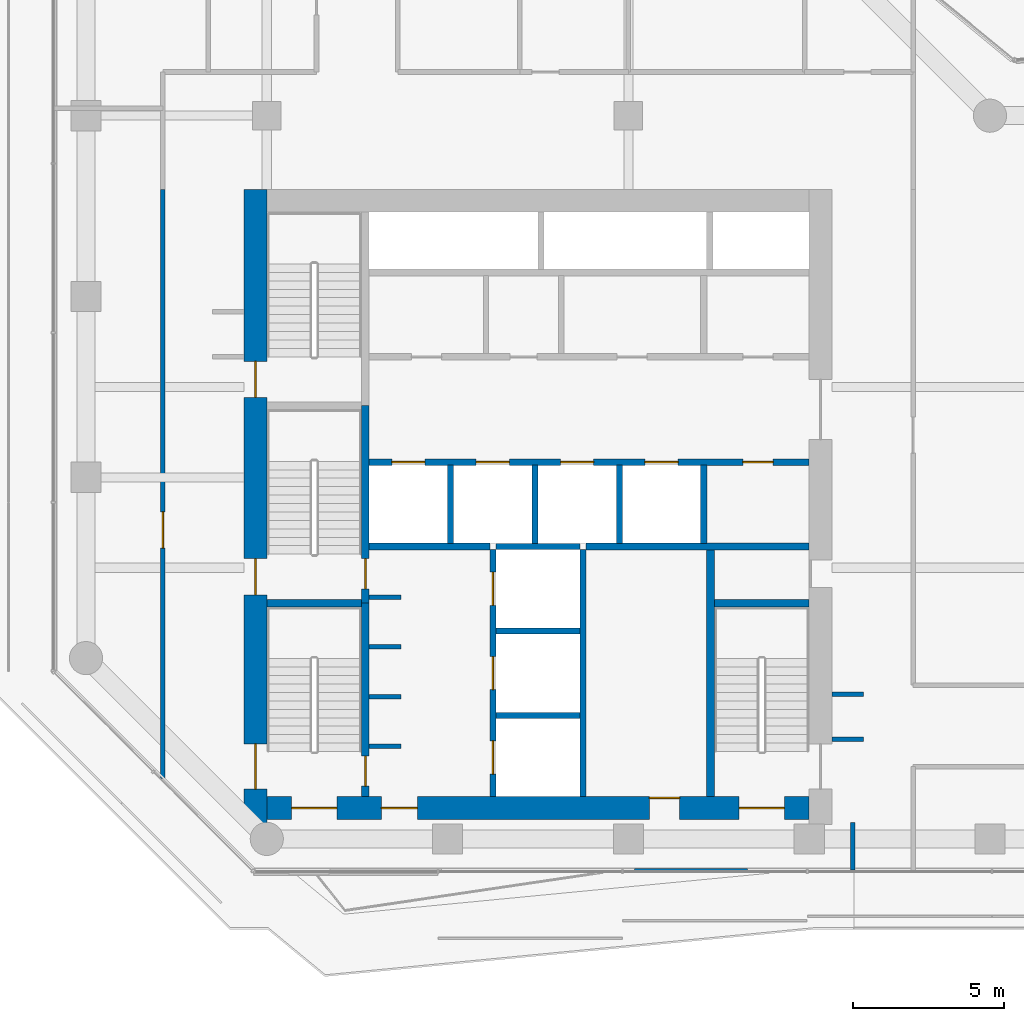
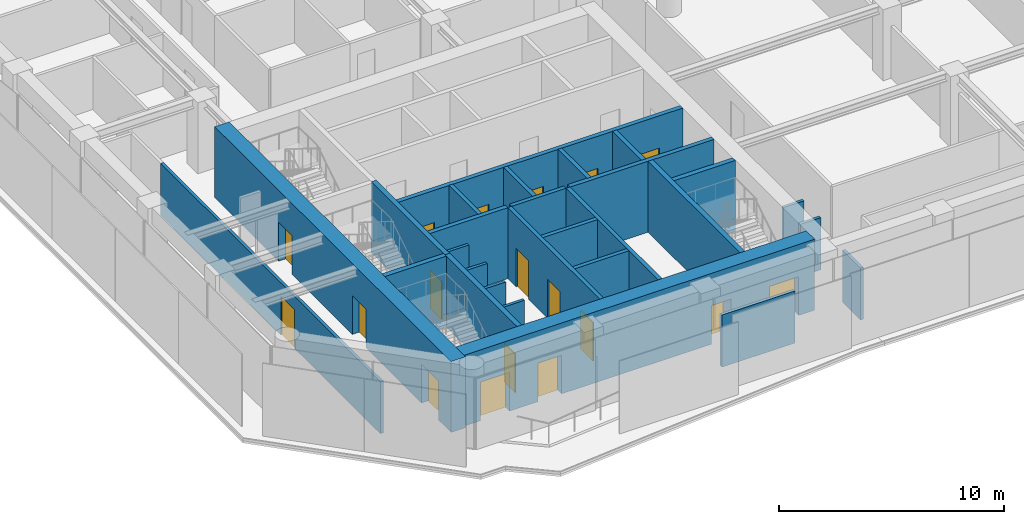
# One storey, part 23 of 28: 28 walls, 18 doors, 18 openings.
"""IFC4 building model written with IfcOpenShell, lengths in metres."""

from ifc_helpers import new_model, si_unit, direction, frame, frame_2d, origin, place, context, subcontext, project, spatial, rectangle, extrude, material, layer, layer_set, type_object, element, fill, save


model = new_model("IFC4")

# Units and contexts
model_context = context("Model", 3, precision=1e-05, world=origin(), true_north=direction((0.0, 1.0)))
body_context = subcontext(model_context, "Body", "Model", "MODEL_VIEW")
ifc_project = project(units=[si_unit("LENGTHUNIT", "METRE"), si_unit("AREAUNIT", "SQUARE_METRE"), si_unit("VOLUMEUNIT", "CUBIC_METRE"), si_unit("PLANEANGLEUNIT", "RADIAN"), si_unit("MASSUNIT", "GRAM", prefix="KILO")], contexts=[model_context])

# Site, building, storey
site_placement = place(None, origin())
site = spatial("IfcSite", under=ifc_project, at=site_placement, CompositionType="ELEMENT")
building_placement = place(site_placement, origin())
building = spatial("IfcBuilding", under=site, at=building_placement, Name="Welwitschia Terrace Campus", CompositionType="ELEMENT")
storey_placement = place(building_placement, frame((0.0, 0.0, 87.800048828125)))
storey = spatial("IfcBuildingStorey", under=building, at=storey_placement, Name="L19", CompositionType="ELEMENT", Elevation=87.800048828125)

# Walls
ifc_material_1 = material(Name="Concrete C32/40", Category="concrete")
ifc_layer_1 = layer(ifc_material_1, 0.22509765625)
ifc_layer_set_1 = layer_set([ifc_layer_1], Name="Concrete C32/40")
wall_type_1 = type_object("IfcWallType", Name="Core partition 225 Concrete C32/40", PredefinedType="PARTITIONING", material=ifc_layer_set_1)
wall_1_placement = place(storey_placement, frame((9.39990234375, 13.699951171875, 0.0), z_axis=(0.0, 0.0, 1.0), x_axis=(1.0, 0.0, 0.0)))
element("IfcWall", 1, at=wall_1_placement, inside=storey, type_object=wall_type_1, Name="Shaft wall", PredefinedType="PARTITIONING", context=body_context, shape_type="SweptSolid", body=[
    extrude(rectangle(XDim=4.0, YDim=0.22509765625, at=frame_2d((2.0, 0.0))), origin(), (0.0, 0.0, 1.0), 3.849853515625),
])
wall_2_placement = place(storey_placement, frame((16.60009765625, 13.699951171875, 0.0), z_axis=(0.0, 0.0, 1.0), x_axis=(1.0, 0.0, 0.0)))
element("IfcWall", 2, at=wall_2_placement, inside=storey, type_object=wall_type_1, Name="Shaft wall", PredefinedType="PARTITIONING", context=body_context, shape_type="SweptSolid", body=[
    extrude(rectangle(XDim=7.39990234375, YDim=0.22509765625, at=frame_2d((3.699951171875, 0.0))), origin(), (0.0, 0.0, 1.0), 3.849853515625),
])

# Wall, openings, doors
wall_3_placement = place(storey_placement, frame((9.39990234375, 16.5, 0.0), z_axis=(0.0, 0.0, 1.0), x_axis=(1.0, 0.0, 0.0)))
wall_3 = element("IfcWall", 3, at=wall_3_placement, inside=storey, type_object=wall_type_1, Name="Shaft wall", PredefinedType="PARTITIONING", context=body_context, shape_type="SweptSolid", body=[
    extrude(rectangle(XDim=14.60009765625, YDim=0.22509765625, at=frame_2d((7.300048828125, 0.0))), origin(), (0.0, 0.0, 1.0), 3.849853515625),
])
opening_1_placement = place(wall_3_placement, frame((0.75, 0.0, 0.0)))
opening_1 = element("IfcOpeningElement", 4, at=opening_1_placement, cuts=wall_3, Name="Opening LD", PredefinedType="OPENING", context=body_context, shape_type="SweptSolid", body=[
    extrude(rectangle(XDim=1.10009765625, YDim=2.10009765625, at=frame_2d((0.550048828125, 1.050048828125))), frame((0.0, 0.12255859375, 0.0), z_axis=(0.0, -1.0, 0.0), x_axis=(1.0, 0.0, 0.0)), (0.0, 0.0, 1.0), 0.2451171875),
])
opening_2_placement = place(wall_3_placement, frame((3.550048828125, 0.0, 0.0)))
opening_2 = element("IfcOpeningElement", 5, at=opening_2_placement, cuts=wall_3, Name="Opening LD", PredefinedType="OPENING", context=body_context, shape_type="SweptSolid", body=[
    extrude(rectangle(XDim=1.10009765625, YDim=2.10009765625, at=frame_2d((0.550048828125, 1.050048828125))), frame((0.0, 0.12255859375, 0.0), z_axis=(0.0, -1.0, 0.0), x_axis=(1.0, 0.0, 0.0)), (0.0, 0.0, 1.0), 0.2451171875),
])
opening_3_placement = place(wall_3_placement, frame((6.35009765625, 0.0, 0.0)))
opening_3 = element("IfcOpeningElement", 6, at=opening_3_placement, cuts=wall_3, Name="Opening LD", PredefinedType="OPENING", context=body_context, shape_type="SweptSolid", body=[
    extrude(rectangle(XDim=1.10009765625, YDim=2.10009765625, at=frame_2d((0.550048828125, 1.050048828125))), frame((0.0, 0.12255859375, 0.0), z_axis=(0.0, -1.0, 0.0), x_axis=(1.0, 0.0, 0.0)), (0.0, 0.0, 1.0), 0.2451171875),
])
opening_4_placement = place(wall_3_placement, frame((9.14990234375, 0.0, 0.0)))
opening_4 = element("IfcOpeningElement", 7, at=opening_4_placement, cuts=wall_3, Name="Opening LD", PredefinedType="OPENING", context=body_context, shape_type="SweptSolid", body=[
    extrude(rectangle(XDim=1.10009765625, YDim=2.10009765625, at=frame_2d((0.550048828125, 1.050048828125))), frame((0.0, 0.12255859375, 0.0), z_axis=(0.0, -1.0, 0.0), x_axis=(1.0, 0.0, 0.0)), (0.0, 0.0, 1.0), 0.2451171875),
])
opening_5_placement = place(wall_3_placement, frame((12.39990234375, 0.0, 0.0)))
opening_5 = element("IfcOpeningElement", 8, at=opening_5_placement, cuts=wall_3, Name="Opening DR10", PredefinedType="OPENING", context=body_context, shape_type="SweptSolid", body=[
    extrude(rectangle(XDim=1.0, YDim=2.10009765625, at=frame_2d((0.5, 1.050048828125))), frame((0.0, 0.12255859375, 0.0), z_axis=(0.0, -1.0, 0.0), x_axis=(1.0, 0.0, 0.0)), (0.0, 0.0, 1.0), 0.2451171875),
])
ifc_material_2 = material(Name="Steel S275", Category="steel")
door_type_1 = type_object("IfcDoorType", Name="Core door DR10", OperationType="SINGLE_SWING_LEFT", PredefinedType="DOOR", material=ifc_material_2)
door_1_placement = place(opening_5_placement, origin())
door_1 = element("IfcDoor", 9, at=door_1_placement, inside=storey, type_object=door_type_1, Name="Door EL-D", OperationType="SINGLE_SWING_RIGHT", OverallHeight=2.10009765625, OverallWidth=1.0, PredefinedType="DOOR", context=body_context, shape_type="SweptSolid", body=[
    extrude(rectangle(XDim=1.0, YDim=2.10009765625, at=frame_2d((0.5, 1.050048828125))), frame((0.0, 0.02490234375, 0.0), z_axis=(0.0, -1.0, 0.0), x_axis=(1.0, 0.0, 0.0)), (0.0, 0.0, 1.0), 0.050048828125),
])
fill(opening_5, door_1)
ifc_material_3 = material(Name="Stainless steel 304", Category="steel")
door_type_2 = type_object("IfcDoorType", Name="Lift landing door", OperationType="DOUBLE_DOOR_SLIDING", PredefinedType="DOOR", material=ifc_material_3)
door_2_placement = place(opening_1_placement, origin())
door_2 = element("IfcDoor", 10, at=door_2_placement, inside=storey, type_object=door_type_2, Name="Landing door LR1", OperationType="DOUBLE_DOOR_SLIDING", OverallHeight=2.10009765625, OverallWidth=1.10009765625, PredefinedType="DOOR", context=body_context, shape_type="SweptSolid", body=[
    extrude(rectangle(XDim=1.10009765625, YDim=2.10009765625, at=frame_2d((0.550048828125, 1.050048828125))), frame((0.0, 0.02490234375, 0.0), z_axis=(0.0, -1.0, 0.0), x_axis=(1.0, 0.0, 0.0)), (0.0, 0.0, 1.0), 0.050048828125),
])
fill(opening_1, door_2)
door_3_placement = place(opening_2_placement, origin())
door_3 = element("IfcDoor", 11, at=door_3_placement, inside=storey, type_object=door_type_2, Name="Landing door LR2", OperationType="DOUBLE_DOOR_SLIDING", OverallHeight=2.10009765625, OverallWidth=1.10009765625, PredefinedType="DOOR", context=body_context, shape_type="SweptSolid", body=[
    extrude(rectangle(XDim=1.10009765625, YDim=2.10009765625, at=frame_2d((0.550048828125, 1.050048828125))), frame((0.0, 0.02490234375, 0.0), z_axis=(0.0, -1.0, 0.0), x_axis=(1.0, 0.0, 0.0)), (0.0, 0.0, 1.0), 0.050048828125),
])
fill(opening_2, door_3)
door_4_placement = place(opening_3_placement, origin())
door_4 = element("IfcDoor", 12, at=door_4_placement, inside=storey, type_object=door_type_2, Name="Landing door LR3", OperationType="DOUBLE_DOOR_SLIDING", OverallHeight=2.10009765625, OverallWidth=1.10009765625, PredefinedType="DOOR", context=body_context, shape_type="SweptSolid", body=[
    extrude(rectangle(XDim=1.10009765625, YDim=2.10009765625, at=frame_2d((0.550048828125, 1.050048828125))), frame((0.0, 0.02490234375, 0.0), z_axis=(0.0, -1.0, 0.0), x_axis=(1.0, 0.0, 0.0)), (0.0, 0.0, 1.0), 0.050048828125),
])
fill(opening_3, door_4)
door_5_placement = place(opening_4_placement, origin())
door_5 = element("IfcDoor", 13, at=door_5_placement, inside=storey, type_object=door_type_2, Name="Landing door LR4", OperationType="DOUBLE_DOOR_SLIDING", OverallHeight=2.10009765625, OverallWidth=1.10009765625, PredefinedType="DOOR", context=body_context, shape_type="SweptSolid", body=[
    extrude(rectangle(XDim=1.10009765625, YDim=2.10009765625, at=frame_2d((0.550048828125, 1.050048828125))), frame((0.0, 0.02490234375, 0.0), z_axis=(0.0, -1.0, 0.0), x_axis=(1.0, 0.0, 0.0)), (0.0, 0.0, 1.0), 0.050048828125),
])
fill(opening_4, door_5)

# Walls
wall_4_placement = place(storey_placement, frame((20.5, 13.800048828125, 0.0), z_axis=(0.0, 0.0, 1.0), x_axis=(0.0, 1.0, 0.0)))
element("IfcWall", 14, at=wall_4_placement, inside=storey, type_object=wall_type_1, Name="Shaft wall", PredefinedType="PARTITIONING", context=body_context, shape_type="SweptSolid", body=[
    extrude(rectangle(XDim=2.599853515625, YDim=0.22509765625, at=frame_2d((1.2998046875, 0.0))), origin(), (0.0, 0.0, 1.0), 3.849853515625),
])
ifc_material_4 = material(Name="Concrete C50/60", Category="concrete")
ifc_layer_2 = layer(ifc_material_4, 0.14990234375)
ifc_layer_set_2 = layer_set([ifc_layer_2], Name="Concrete C50/60")
wall_type_2 = type_object("IfcWallType", Name="Core wall 150 Concrete C50/60", PredefinedType="SHEAR", material=ifc_layer_set_2)
for number, where, z_axis, x_axis, name in (
    (15, (9.39990234375, 7.074951171875, 0.0), (0.0, 0.0, 1.0), (1.0, 0.0, 0.0), "Core wall"),
    (16, (9.39990234375, 8.72509765625, 0.0), (0.0, 0.0, 1.0), (1.0, 0.0, 0.0), "Core wall"),
    (17, (9.39990234375, 10.375, 0.0), (0.0, 0.0, 1.0), (1.0, 0.0, 0.0), "Core wall"),
    (18, (9.39990234375, 12.02490234375, 0.0), (0.0, 0.0, 1.0), (1.0, 0.0, 0.0), "Core wall"),
):
    element("IfcWall", number, at=place(storey_placement, frame(where, z_axis=z_axis, x_axis=x_axis)), inside=storey, type_object=wall_type_2, Name=name, PredefinedType="SHEAR", context=body_context, shape_type="SweptSolid", body=[
        extrude(rectangle(XDim=1.050048828125, YDim=0.14990234375, at=frame_2d((0.52490234375, 0.0))), origin(), (0.0, 0.0, 1.0), 3.849853515625),
    ])
ifc_material_5 = material(Name="Concrete C50/60", Category="concrete")
ifc_layer_3 = layer(ifc_material_5, 0.199951171875)
ifc_layer_set_3 = layer_set([ifc_layer_3], Name="Concrete C50/60")
wall_type_3 = type_object("IfcWallType", Name="Core wall 200 Concrete C50/60", PredefinedType="SHEAR", material=ifc_layer_set_3)
for number, where, z_axis, x_axis, name in (
    (19, (13.60009765625, 8.10009765625, 0.0), (0.0, 0.0, 1.0), (1.0, 0.0, 0.0), "Core wall"),
    (20, (13.60009765625, 10.89990234375, 0.0), (0.0, 0.0, 1.0), (1.0, 0.0, 0.0), "Core wall"),
    (21, (13.60009765625, 13.699951171875, 0.0), (0.0, 0.0, 1.0), (1.0, 0.0, 0.0), "Core wall"),
):
    element("IfcWall", number, at=place(storey_placement, frame(where, z_axis=z_axis, x_axis=x_axis)), inside=storey, type_object=wall_type_3, Name=name, PredefinedType="SHEAR", context=body_context, shape_type="SweptSolid", body=[
        extrude(rectangle(XDim=2.7998046875, YDim=0.199951171875, at=frame_2d((1.39990234375, 0.0))), origin(), (0.0, 0.0, 1.0), 3.849853515625),
    ])

# Wall, openings, doors
wall_5_placement = place(storey_placement, frame((13.5, 5.39990234375, 0.0), z_axis=(0.0, 0.0, 1.0), x_axis=(0.0, 1.0, 0.0)))
wall_5 = element("IfcWall", 22, at=wall_5_placement, inside=storey, type_object=wall_type_3, Name="Core wall", PredefinedType="SHEAR", context=body_context, shape_type="SweptSolid", body=[
    extrude(rectangle(XDim=8.2001953125, YDim=0.199951171875, at=frame_2d((4.10009765625, 0.0))), origin(), (0.0, 0.0, 1.0), 3.849853515625),
])
opening_6_placement = place(wall_5_placement, frame((0.75, 0.0, 0.0)))
opening_6 = element("IfcOpeningElement", 23, at=opening_6_placement, cuts=wall_5, Name="Opening LD", PredefinedType="OPENING", context=body_context, shape_type="SweptSolid", body=[
    extrude(rectangle(XDim=1.10009765625, YDim=2.10009765625, at=frame_2d((0.550048828125, 1.050048828125))), frame((0.0, 0.10986328125, 0.0), z_axis=(0.0, -1.0, 0.0), x_axis=(1.0, 0.0, 0.0)), (0.0, 0.0, 1.0), 0.219970703125),
])
opening_7_placement = place(wall_5_placement, frame((3.550048828125, 0.0, 0.0)))
opening_7 = element("IfcOpeningElement", 24, at=opening_7_placement, cuts=wall_5, Name="Opening LD", PredefinedType="OPENING", context=body_context, shape_type="SweptSolid", body=[
    extrude(rectangle(XDim=1.10009765625, YDim=2.10009765625, at=frame_2d((0.550048828125, 1.050048828125))), frame((0.0, 0.10986328125, 0.0), z_axis=(0.0, -1.0, 0.0), x_axis=(1.0, 0.0, 0.0)), (0.0, 0.0, 1.0), 0.219970703125),
])
opening_8_placement = place(wall_5_placement, frame((6.35009765625, 0.0, 0.0)))
opening_8 = element("IfcOpeningElement", 25, at=opening_8_placement, cuts=wall_5, Name="Opening LD", PredefinedType="OPENING", context=body_context, shape_type="SweptSolid", body=[
    extrude(rectangle(XDim=1.10009765625, YDim=2.10009765625, at=frame_2d((0.550048828125, 1.050048828125))), frame((0.0, 0.10986328125, 0.0), z_axis=(0.0, -1.0, 0.0), x_axis=(1.0, 0.0, 0.0)), (0.0, 0.0, 1.0), 0.219970703125),
])
door_6_placement = place(opening_6_placement, origin())
door_6 = element("IfcDoor", 26, at=door_6_placement, inside=storey, type_object=door_type_2, Name="Landing door FF1", OperationType="DOUBLE_DOOR_SLIDING", OverallHeight=2.10009765625, OverallWidth=1.10009765625, PredefinedType="DOOR", context=body_context, shape_type="SweptSolid", body=[
    extrude(rectangle(XDim=1.10009765625, YDim=2.10009765625, at=frame_2d((0.550048828125, 1.050048828125))), frame((0.0, 0.02490234375, 0.0), z_axis=(0.0, -1.0, 0.0), x_axis=(1.0, 0.0, 0.0)), (0.0, 0.0, 1.0), 0.050048828125),
])
fill(opening_6, door_6)
door_7_placement = place(opening_7_placement, origin())
door_7 = element("IfcDoor", 27, at=door_7_placement, inside=storey, type_object=door_type_2, Name="Landing door FF2", OperationType="DOUBLE_DOOR_SLIDING", OverallHeight=2.10009765625, OverallWidth=1.10009765625, PredefinedType="DOOR", context=body_context, shape_type="SweptSolid", body=[
    extrude(rectangle(XDim=1.10009765625, YDim=2.10009765625, at=frame_2d((0.550048828125, 1.050048828125))), frame((0.0, 0.02490234375, 0.0), z_axis=(0.0, -1.0, 0.0), x_axis=(1.0, 0.0, 0.0)), (0.0, 0.0, 1.0), 0.050048828125),
])
fill(opening_7, door_7)
door_8_placement = place(opening_8_placement, origin())
door_8 = element("IfcDoor", 28, at=door_8_placement, inside=storey, type_object=door_type_2, Name="Landing door SV1", OperationType="DOUBLE_DOOR_SLIDING", OverallHeight=2.10009765625, OverallWidth=1.10009765625, PredefinedType="DOOR", context=body_context, shape_type="SweptSolid", body=[
    extrude(rectangle(XDim=1.10009765625, YDim=2.10009765625, at=frame_2d((0.550048828125, 1.050048828125))), frame((0.0, 0.02490234375, 0.0), z_axis=(0.0, -1.0, 0.0), x_axis=(1.0, 0.0, 0.0)), (0.0, 0.0, 1.0), 0.050048828125),
])
fill(opening_8, door_8)

# Walls
wall_6_placement = place(storey_placement, frame((16.5, 5.39990234375, 0.0), z_axis=(0.0, 0.0, 1.0), x_axis=(0.0, 1.0, 0.0)))
element("IfcWall", 29, at=wall_6_placement, inside=storey, type_object=wall_type_3, Name="Core wall", PredefinedType="SHEAR", context=body_context, shape_type="SweptSolid", body=[
    extrude(rectangle(XDim=8.2001953125, YDim=0.199951171875, at=frame_2d((4.10009765625, 0.0))), origin(), (0.0, 0.0, 1.0), 3.849853515625),
])
ifc_material_6 = material(Name="Concrete C50/60", Category="concrete")
ifc_layer_4 = layer(ifc_material_6, 0.25)
ifc_layer_set_4 = layer_set([ifc_layer_4], Name="Concrete C50/60")
wall_type_4 = type_object("IfcWallType", Name="Core wall 250 Concrete C50/60", PredefinedType="SHEAR", material=ifc_layer_set_4)
for number, where, z_axis, x_axis, name in (
    (30, (6.0, 11.824951171875, 0.0), (0.0, 0.0, 1.0), (1.0, 0.0, 0.0), "Core wall"),
    (31, (20.85009765625, 11.824951171875, 0.0), (0.0, 0.0, 1.0), (1.0, 0.0, 0.0), "Core wall"),
):
    element("IfcWall", number, at=place(storey_placement, frame(where, z_axis=z_axis, x_axis=x_axis)), inside=storey, type_object=wall_type_4, Name=name, PredefinedType="SHEAR", context=body_context, shape_type="SweptSolid", body=[
        extrude(rectangle(XDim=3.14990234375, YDim=0.25, at=frame_2d((1.574951171875, 0.0))), origin(), (0.0, 0.0, 1.0), 3.849853515625),
    ])

# Wall, opening, door
wall_7_placement = place(storey_placement, frame((9.27490234375, 11.824951171875, 0.0), z_axis=(0.0, 0.0, 1.0), x_axis=(0.0, -1.0, 0.0)))
wall_7 = element("IfcWall", 32, at=wall_7_placement, inside=storey, type_object=wall_type_4, Name="Core wall", PredefinedType="SHEAR", context=body_context, shape_type="SweptSolid", body=[
    extrude(rectangle(XDim=6.425048828125, YDim=0.25, at=frame_2d((3.21240234375, 0.0))), origin(), (0.0, 0.0, 1.0), 3.849853515625),
])
opening_9_placement = place(wall_7_placement, frame((5.074951171875, 0.0, 0.0)))
opening_9 = element("IfcOpeningElement", 33, at=opening_9_placement, cuts=wall_7, Name="Opening DS10", PredefinedType="OPENING", context=body_context, shape_type="SweptSolid", body=[
    extrude(rectangle(XDim=1.0, YDim=2.10009765625, at=frame_2d((0.5, 1.050048828125))), frame((0.0, 0.135009765625, 0.0), z_axis=(0.0, -1.0, 0.0), x_axis=(1.0, 0.0, 0.0)), (0.0, 0.0, 1.0), 0.27001953125),
])
ifc_material_7 = material(Name="Steel S275", Category="steel")
door_type_3 = type_object("IfcDoorType", Name="Core door DS10", OperationType="SINGLE_SWING_LEFT", PredefinedType="DOOR", material=ifc_material_7)
door_9_placement = place(opening_9_placement, origin())
door_9 = element("IfcDoor", 34, at=door_9_placement, inside=storey, type_object=door_type_3, Name="Door S1-FL", OperationType="SINGLE_SWING_RIGHT", OverallHeight=2.10009765625, OverallWidth=1.0, PredefinedType="DOOR", context=body_context, shape_type="SweptSolid", body=[
    extrude(rectangle(XDim=1.0, YDim=2.10009765625, at=frame_2d((0.5, 1.050048828125))), frame((0.0, 0.02490234375, 0.0), z_axis=(0.0, -1.0, 0.0), x_axis=(1.0, 0.0, 0.0)), (0.0, 0.0, 1.0), 0.050048828125),
])
fill(opening_9, door_9)

wall_8_placement = place(storey_placement, frame((9.27490234375, 18.375, 0.0), z_axis=(0.0, 0.0, 1.0), x_axis=(0.0, -1.0, 0.0)))
wall_8 = element("IfcWall", 35, at=wall_8_placement, inside=storey, type_object=wall_type_4, Name="Core wall", PredefinedType="SHEAR", context=body_context, shape_type="SweptSolid", body=[
    extrude(rectangle(XDim=6.550048828125, YDim=0.25, at=frame_2d((3.27490234375, 0.0))), origin(), (0.0, 0.0, 1.0), 3.849853515625),
])
opening_10_placement = place(wall_8_placement, frame((5.074951171875, 0.0, 0.0)))
opening_10 = element("IfcOpeningElement", 36, at=opening_10_placement, cuts=wall_8, Name="Opening DS10", PredefinedType="OPENING", context=body_context, shape_type="SweptSolid", body=[
    extrude(rectangle(XDim=1.0, YDim=2.10009765625, at=frame_2d((0.5, 1.050048828125))), frame((0.0, 0.135009765625, 0.0), z_axis=(0.0, -1.0, 0.0), x_axis=(1.0, 0.0, 0.0)), (0.0, 0.0, 1.0), 0.27001953125),
])
door_10_placement = place(opening_10_placement, origin())
door_10 = element("IfcDoor", 37, at=door_10_placement, inside=storey, type_object=door_type_3, Name="Door S3-FL", OperationType="SINGLE_SWING_RIGHT", OverallHeight=2.10009765625, OverallWidth=1.0, PredefinedType="DOOR", context=body_context, shape_type="SweptSolid", body=[
    extrude(rectangle(XDim=1.0, YDim=2.10009765625, at=frame_2d((0.5, 1.050048828125))), frame((0.0, 0.02490234375, 0.0), z_axis=(0.0, -1.0, 0.0), x_axis=(1.0, 0.0, 0.0)), (0.0, 0.0, 1.0), 0.050048828125),
])
fill(opening_10, door_10)

# Wall
wall_9_placement = place(storey_placement, frame((20.72509765625, 5.39990234375, 0.0), z_axis=(0.0, 0.0, 1.0), x_axis=(0.0, 1.0, 0.0)))
element("IfcWall", 38, at=wall_9_placement, inside=storey, type_object=wall_type_4, Name="Core wall", PredefinedType="SHEAR", context=body_context, shape_type="SweptSolid", body=[
    extrude(rectangle(XDim=8.2001953125, YDim=0.25, at=frame_2d((4.10009765625, 0.0))), origin(), (0.0, 0.0, 1.0), 3.849853515625),
])

# Wall, openings, doors
ifc_material_8 = material(Name="Concrete C70/85", Category="concrete")
ifc_layer_5 = layer(ifc_material_8, 0.75)
ifc_layer_set_5 = layer_set([ifc_layer_5], Name="Concrete C70/85")
wall_type_5 = type_object("IfcWallType", Name="Core wall 750 Concrete C70/85", PredefinedType="SHEAR", material=ifc_layer_set_5)
wall_10_placement = place(storey_placement, frame((5.625, 4.52001953125, 0.0), z_axis=(0.0, 0.0, 1.0), x_axis=(0.0, 1.0, 0.0)))
wall_10 = element("IfcWall", 39, at=wall_10_placement, inside=storey, type_object=wall_type_5, Name="Core outer wall", PredefinedType="SHEAR", context=body_context, shape_type="SweptSolid", body=[
    extrude(rectangle(XDim=21.030029296875, YDim=0.75, at=frame_2d((10.51513671875, 0.0))), origin(), (0.0, 0.0, 1.0), 3.849853515625),
])
opening_11_placement = place(wall_10_placement, frame((1.1298828125, 0.0, 0.0)))
opening_11 = element("IfcOpeningElement", 40, at=opening_11_placement, cuts=wall_10, Name="Opening DS15", PredefinedType="OPENING", context=body_context, shape_type="SweptSolid", body=[
    extrude(rectangle(XDim=1.5, YDim=2.10009765625, at=frame_2d((0.75, 1.050048828125))), frame((0.0, 0.385009765625, 0.0), z_axis=(0.0, -1.0, 0.0), x_axis=(1.0, 0.0, 0.0)), (0.0, 0.0, 1.0), 0.77001953125),
])
opening_12_placement = place(wall_10_placement, frame((7.580078125, 0.0, 0.0)))
opening_12 = element("IfcOpeningElement", 41, at=opening_12_placement, cuts=wall_10, Name="Opening DS12", PredefinedType="OPENING", context=body_context, shape_type="SweptSolid", body=[
    extrude(rectangle(XDim=1.199951171875, YDim=2.10009765625, at=frame_2d((0.60009765625, 1.050048828125))), frame((0.0, 0.385009765625, 0.0), z_axis=(0.0, -1.0, 0.0), x_axis=(1.0, 0.0, 0.0)), (0.0, 0.0, 1.0), 0.77001953125),
])
opening_13_placement = place(wall_10_placement, frame((14.1298828125, 0.0, 0.0)))
opening_13 = element("IfcOpeningElement", 42, at=opening_13_placement, cuts=wall_10, Name="Opening DS12", PredefinedType="OPENING", context=body_context, shape_type="SweptSolid", body=[
    extrude(rectangle(XDim=1.199951171875, YDim=2.10009765625, at=frame_2d((0.60009765625, 1.050048828125))), frame((0.0, 0.385009765625, 0.0), z_axis=(0.0, -1.0, 0.0), x_axis=(1.0, 0.0, 0.0)), (0.0, 0.0, 1.0), 0.77001953125),
])
ifc_material_9 = material(Name="Steel S275", Category="steel")
door_type_4 = type_object("IfcDoorType", Name="Core door DS12", OperationType="SINGLE_SWING_LEFT", PredefinedType="DOOR", material=ifc_material_9)
door_11_placement = place(opening_12_placement, origin())
door_11 = element("IfcDoor", 43, at=door_11_placement, inside=storey, type_object=door_type_4, Name="Door S3-out", OperationType="SINGLE_SWING_LEFT", OverallHeight=2.10009765625, OverallWidth=1.199951171875, PredefinedType="DOOR", context=body_context, shape_type="SweptSolid", body=[
    extrude(rectangle(XDim=1.199951171875, YDim=2.10009765625, at=frame_2d((0.60009765625, 1.050048828125))), frame((0.0, 0.02490234375, 0.0), z_axis=(0.0, -1.0, 0.0), x_axis=(1.0, 0.0, 0.0)), (0.0, 0.0, 1.0), 0.050048828125),
])
fill(opening_12, door_11)
door_12_placement = place(opening_13_placement, origin())
door_12 = element("IfcDoor", 44, at=door_12_placement, inside=storey, type_object=door_type_4, Name="Door S4-out", OperationType="SINGLE_SWING_RIGHT", OverallHeight=2.10009765625, OverallWidth=1.199951171875, PredefinedType="DOOR", context=body_context, shape_type="SweptSolid", body=[
    extrude(rectangle(XDim=1.199951171875, YDim=2.10009765625, at=frame_2d((0.60009765625, 1.050048828125))), frame((0.0, 0.02490234375, 0.0), z_axis=(0.0, -1.0, 0.0), x_axis=(1.0, 0.0, 0.0)), (0.0, 0.0, 1.0), 0.050048828125),
])
fill(opening_13, door_12)
ifc_material_10 = material(Name="Steel S275", Category="steel")
door_type_5 = type_object("IfcDoorType", Name="Core door DS15", OperationType="DOUBLE_DOOR_SINGLE_SWING", PredefinedType="DOOR", material=ifc_material_10)
door_13_placement = place(opening_11_placement, origin())
door_13 = element("IfcDoor", 45, at=door_13_placement, inside=storey, type_object=door_type_5, Name="Door S1-out", OperationType="DOUBLE_DOOR_SINGLE_SWING", OverallHeight=2.10009765625, OverallWidth=1.5, PredefinedType="DOOR", context=body_context, shape_type="SweptSolid", body=[
    extrude(rectangle(XDim=1.5, YDim=2.10009765625, at=frame_2d((0.75, 1.050048828125))), frame((0.0, 0.02490234375, 0.0), z_axis=(0.0, -1.0, 0.0), x_axis=(1.0, 0.0, 0.0)), (0.0, 0.0, 1.0), 0.050048828125),
])
fill(opening_11, door_13)

wall_11_placement = place(storey_placement, frame((24.0, 5.02490234375, 0.0), z_axis=(0.0, 0.0, 1.0), x_axis=(-1.0, 0.0, 0.0)))
wall_11 = element("IfcWall", 46, at=wall_11_placement, inside=storey, type_object=wall_type_5, Name="Core outer wall", PredefinedType="SHEAR", context=body_context, shape_type="SweptSolid", body=[
    extrude(rectangle(XDim=18.0, YDim=0.75, at=frame_2d((9.0, 0.0))), origin(), (0.0, 0.0, 1.0), 3.849853515625),
])
opening_14_placement = place(wall_11_placement, frame((0.824951171875, 0.0, 0.0)))
opening_14 = element("IfcOpeningElement", 47, at=opening_14_placement, cuts=wall_11, Name="Opening DS15", PredefinedType="OPENING", context=body_context, shape_type="SweptSolid", body=[
    extrude(rectangle(XDim=1.5, YDim=2.10009765625, at=frame_2d((0.75, 1.050048828125))), frame((0.0, 0.385009765625, 0.0), z_axis=(0.0, -1.0, 0.0), x_axis=(1.0, 0.0, 0.0)), (0.0, 0.0, 1.0), 0.77001953125),
])
opening_15_placement = place(wall_11_placement, frame((15.675048828125, 0.0, 0.0)))
opening_15 = element("IfcOpeningElement", 48, at=opening_15_placement, cuts=wall_11, Name="Opening DS15", PredefinedType="OPENING", context=body_context, shape_type="SweptSolid", body=[
    extrude(rectangle(XDim=1.5, YDim=2.10009765625, at=frame_2d((0.75, 1.050048828125))), frame((0.0, 0.385009765625, 0.0), z_axis=(0.0, -1.0, 0.0), x_axis=(1.0, 0.0, 0.0)), (0.0, 0.0, 1.0), 0.77001953125),
])
opening_16_placement = place(wall_11_placement, frame((13.0, 0.0, 0.0)))
opening_16 = element("IfcOpeningElement", 49, at=opening_16_placement, cuts=wall_11, Name="Opening DF12", PredefinedType="OPENING", context=body_context, shape_type="SweptSolid", body=[
    extrude(rectangle(XDim=1.199951171875, YDim=2.10009765625, at=frame_2d((0.60009765625, 1.050048828125))), frame((0.0, 0.385009765625, 0.0), z_axis=(0.0, -1.0, 0.0), x_axis=(1.0, 0.0, 0.0)), (0.0, 0.0, 1.0), 0.77001953125),
])
opening_17_placement = place(wall_11_placement, frame((4.300048828125, 0.0, 0.0)))
opening_17 = element("IfcOpeningElement", 50, at=opening_17_placement, cuts=wall_11, Name="Opening DR10", PredefinedType="OPENING", context=body_context, shape_type="SweptSolid", body=[
    extrude(rectangle(XDim=1.0, YDim=2.10009765625, at=frame_2d((0.5, 1.050048828125))), frame((0.0, 0.385009765625, 0.0), z_axis=(0.0, -1.0, 0.0), x_axis=(1.0, 0.0, 0.0)), (0.0, 0.0, 1.0), 0.77001953125),
])
ifc_material_11 = material(Name="Steel S275", Category="steel")
door_type_6 = type_object("IfcDoorType", Name="Core door DF12", OperationType="SINGLE_SWING_LEFT", PredefinedType="DOOR", material=ifc_material_11)
door_14_placement = place(opening_16_placement, origin())
door_14 = element("IfcDoor", 51, at=door_14_placement, inside=storey, type_object=door_type_6, Name="Door FL-out", OperationType="SINGLE_SWING_RIGHT", OverallHeight=2.10009765625, OverallWidth=1.199951171875, PredefinedType="DOOR", context=body_context, shape_type="SweptSolid", body=[
    extrude(rectangle(XDim=1.199951171875, YDim=2.10009765625, at=frame_2d((0.60009765625, 1.050048828125))), frame((0.0, 0.02490234375, 0.0), z_axis=(0.0, -1.0, 0.0), x_axis=(1.0, 0.0, 0.0)), (0.0, 0.0, 1.0), 0.050048828125),
])
fill(opening_16, door_14)
door_15_placement = place(opening_17_placement, origin())
door_15 = element("IfcDoor", 52, at=door_15_placement, inside=storey, type_object=door_type_1, Name="Door F1-out", OperationType="SINGLE_SWING_LEFT", OverallHeight=2.10009765625, OverallWidth=1.0, PredefinedType="DOOR", context=body_context, shape_type="SweptSolid", body=[
    extrude(rectangle(XDim=1.0, YDim=2.10009765625, at=frame_2d((0.5, 1.050048828125))), frame((0.0, -0.31494140625, 0.0), z_axis=(0.0, -1.0, 0.0), x_axis=(1.0, 0.0, 0.0)), (0.0, 0.0, 1.0), 0.050048828125),
])
fill(opening_17, door_15)
door_16_placement = place(opening_14_placement, origin())
door_16 = element("IfcDoor", 53, at=door_16_placement, inside=storey, type_object=door_type_5, Name="Door S2-outS", OperationType="DOUBLE_DOOR_SINGLE_SWING", OverallHeight=2.10009765625, OverallWidth=1.5, PredefinedType="DOOR", context=body_context, shape_type="SweptSolid", body=[
    extrude(rectangle(XDim=1.5, YDim=2.10009765625, at=frame_2d((0.75, 1.050048828125))), frame((0.0, 0.02490234375, 0.0), z_axis=(0.0, -1.0, 0.0), x_axis=(1.0, 0.0, 0.0)), (0.0, 0.0, 1.0), 0.050048828125),
])
fill(opening_14, door_16)
door_17_placement = place(opening_15_placement, origin())
door_17 = element("IfcDoor", 54, at=door_17_placement, inside=storey, type_object=door_type_5, Name="Door S1-outS", OperationType="DOUBLE_DOOR_SINGLE_SWING", OverallHeight=2.10009765625, OverallWidth=1.5, PredefinedType="DOOR", context=body_context, shape_type="SweptSolid", body=[
    extrude(rectangle(XDim=1.5, YDim=2.10009765625, at=frame_2d((0.75, 1.050048828125))), frame((0.0, 0.02490234375, 0.0), z_axis=(0.0, -1.0, 0.0), x_axis=(1.0, 0.0, 0.0)), (0.0, 0.0, 1.0), 0.050048828125),
])
fill(opening_15, door_17)

# Wall, opening, door
ifc_material_12 = material(Name="Gypsum board on steel studs", Category="steel")
ifc_layer_6 = layer(ifc_material_12, 0.14990234375)
ifc_layer_set_6 = layer_set([ifc_layer_6], Name="Gypsum board on steel studs")
wall_type_6 = type_object("IfcWallType", Name="Corridor partition 150 EI 30", PredefinedType="PARTITIONING", material=ifc_layer_set_6)
wall_12_placement = place(storey_placement, frame((2.550048828125, 5.9990234375, 0.0), z_axis=(0.0, 0.0, 1.0), x_axis=(0.0, 1.0, 0.0)))
wall_12 = element("IfcWall", 55, at=wall_12_placement, inside=storey, type_object=wall_type_6, Name="Partition", PredefinedType="PARTITIONING", context=body_context, shape_type="SweptSolid", body=[
    extrude(rectangle(XDim=19.551025390625, YDim=0.14990234375, at=frame_2d((9.775390625, 0.0))), origin(), (0.0, 0.0, 1.0), 2.829833984375),
])
opening_18_placement = place(wall_12_placement, frame((7.65087890625, 0.0, 0.0)))
opening_18 = element("IfcOpeningElement", 56, at=opening_18_placement, cuts=wall_12, Name="Opening DI12", PredefinedType="OPENING", context=body_context, shape_type="SweptSolid", body=[
    extrude(rectangle(XDim=1.199951171875, YDim=2.10009765625, at=frame_2d((0.60009765625, 1.050048828125))), frame((0.0, 0.0849609375, 0.0), z_axis=(0.0, -1.0, 0.0), x_axis=(1.0, 0.0, 0.0)), (0.0, 0.0, 1.0), 0.169921875),
])
ifc_material_13 = material(Name="Timber veneered door", Category="wood")
door_type_7 = type_object("IfcDoorType", Name="Interior door DI12", OperationType="NOTDEFINED", PredefinedType="DOOR", material=ifc_material_13)
door_18_placement = place(opening_18_placement, origin())
door_18 = element("IfcDoor", 57, at=door_18_placement, inside=storey, type_object=door_type_7, Name="Door L19 420", OperationType="SINGLE_SWING_LEFT", OverallHeight=2.10009765625, OverallWidth=1.199951171875, PredefinedType="DOOR", context=body_context, shape_type="SweptSolid", body=[
    extrude(rectangle(XDim=1.199951171875, YDim=2.10009765625, at=frame_2d((0.60009765625, 1.050048828125))), frame((0.0, 0.02490234375, 0.0), z_axis=(0.0, -1.0, 0.0), x_axis=(1.0, 0.0, 0.0)), (0.0, 0.0, 1.0), 0.050048828125),
])
fill(opening_18, door_18)

# Walls
wall_13_placement = place(storey_placement, frame((18.2099609375, 2.949951171875, 0.0), z_axis=(0.0, 0.0, 1.0), x_axis=(1.0, 0.0, 0.0)))
element("IfcWall", 58, at=wall_13_placement, inside=storey, type_object=wall_type_6, Name="Partition", PredefinedType="PARTITIONING", context=body_context, shape_type="SweptSolid", body=[
    extrude(rectangle(XDim=3.75, YDim=0.14990234375, at=frame_2d((1.875, 0.0))), origin(), (0.0, 0.0, 1.0), 2.829833984375),
])
for number, where, z_axis, x_axis, name in (
    (59, (24.75, 7.300048828125, 0.0), (0.0, 0.0, 1.0), (1.0, 0.0, 0.0), "Partition"),
    (60, (24.75, 8.800048828125, 0.0), (0.0, 0.0, 1.0), (1.0, 0.0, 0.0), "Partition"),
):
    element("IfcWall", number, at=place(storey_placement, frame(where, z_axis=z_axis, x_axis=x_axis)), inside=storey, type_object=wall_type_6, Name=name, PredefinedType="PARTITIONING", context=body_context, shape_type="SweptSolid", body=[
        extrude(rectangle(XDim=1.050048828125, YDim=0.14990234375, at=frame_2d((0.52490234375, 0.0))), origin(), (0.0, 0.0, 1.0), 2.829833984375),
    ])
wall_14_placement = place(storey_placement, frame((25.449951171875, 2.9599609375, 0.0), z_axis=(0.0, 0.0, 1.0), x_axis=(0.0, 1.0, 0.0)))
element("IfcWall", 61, at=wall_14_placement, inside=storey, type_object=wall_type_6, Name="Partition", PredefinedType="PARTITIONING", context=body_context, shape_type="SweptSolid", body=[
    extrude(rectangle(XDim=1.590087890625, YDim=0.14990234375, at=frame_2d((0.794921875, 0.0))), origin(), (0.0, 0.0, 1.0), 2.829833984375),
])
ifc_material_14 = material(Name="Concrete C32/40", Category="concrete")
ifc_layer_7 = layer(ifc_material_14, 0.199951171875)
ifc_layer_set_7 = layer_set([ifc_layer_7], Name="Concrete C32/40")
wall_type_7 = type_object("IfcWallType", Name="Shaft wall 200 Concrete C32/40", PredefinedType="SOLIDWALL", material=ifc_layer_set_7)
for number, where, z_axis, x_axis, name in (
    (62, (12.10009765625, 13.800048828125, 0.0), (0.0, 0.0, 1.0), (0.0, 1.0, 0.0), "Shaft wall"),
    (63, (14.89990234375, 13.800048828125, 0.0), (0.0, 0.0, 1.0), (0.0, 1.0, 0.0), "Shaft wall"),
    (64, (17.699951171875, 13.800048828125, 0.0), (0.0, 0.0, 1.0), (0.0, 1.0, 0.0), "Shaft wall"),
):
    element("IfcWall", number, at=place(storey_placement, frame(where, z_axis=z_axis, x_axis=x_axis)), inside=storey, type_object=wall_type_7, Name=name, PredefinedType="SOLIDWALL", context=body_context, shape_type="SweptSolid", body=[
        extrude(rectangle(XDim=2.599853515625, YDim=0.199951171875, at=frame_2d((1.2998046875, 0.0))), origin(), (0.0, 0.0, 1.0), 3.849853515625),
    ])

save(model, "model.ifc")
